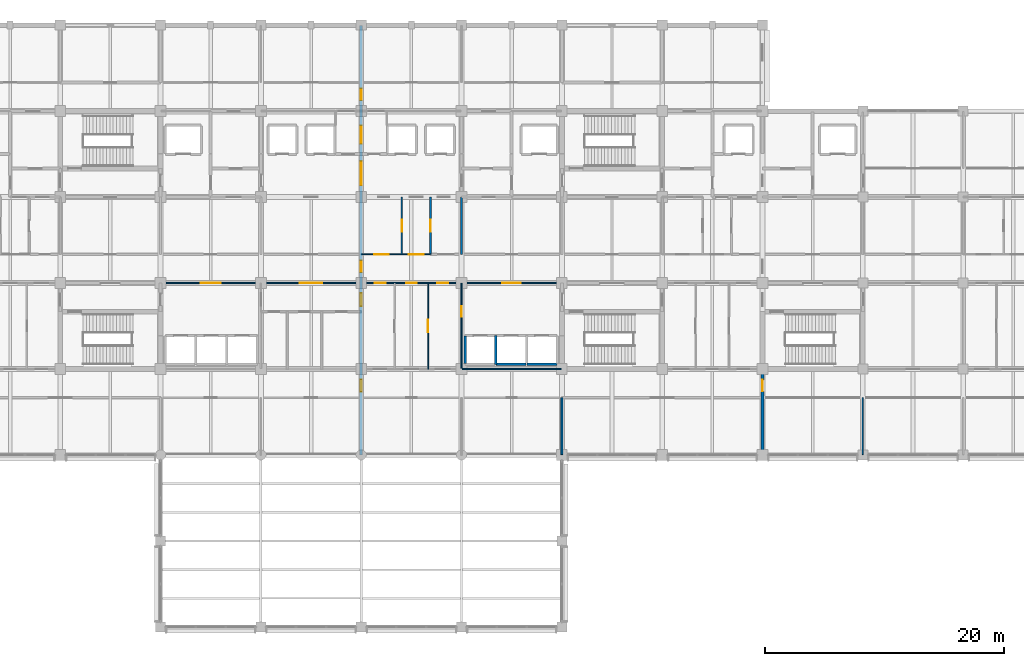
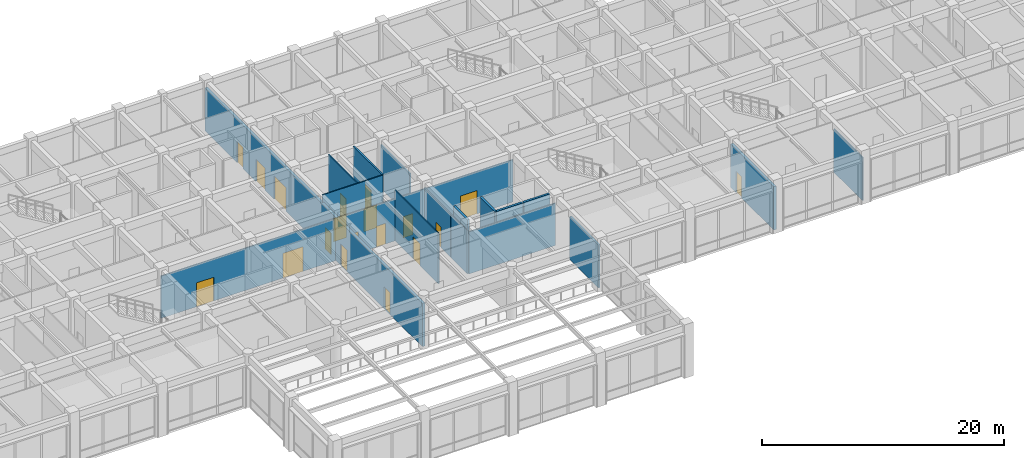
# One storey, part 37 of 58: 19 doors, 17 walls, 19 openings.
"""IFC4 building model written with IfcOpenShell, lengths in metres."""

from ifc_helpers import new_model, si_unit, direction, frame, frame_2d, origin, place, context, subcontext, project, spatial, rectangle, extrude, material, layer, layer_set, type_object, element, fill, save


model = new_model("IFC4")

# Units and contexts
model_context = context("Model", 3, precision=1e-05, world=origin(), true_north=direction((0.0, 1.0)))
body_context = subcontext(model_context, "Body", "Model", "MODEL_VIEW")
ifc_project = project(units=[si_unit("LENGTHUNIT", "METRE"), si_unit("AREAUNIT", "SQUARE_METRE"), si_unit("VOLUMEUNIT", "CUBIC_METRE"), si_unit("PLANEANGLEUNIT", "RADIAN"), si_unit("MASSUNIT", "GRAM", prefix="KILO")], contexts=[model_context])

# Site, building, storey
site_placement = place(None, origin())
site = spatial("IfcSite", under=ifc_project, at=site_placement, CompositionType="ELEMENT")
building_placement = place(site_placement, origin())
building = spatial("IfcBuilding", under=site, at=building_placement, Name="Chengyuan Square Courthouse", CompositionType="ELEMENT")
storey_placement = place(building_placement, frame((0.0, 0.0, 16.199951171875)))
storey = spatial("IfcBuildingStorey", under=building, at=storey_placement, Name="L04", CompositionType="ELEMENT", Elevation=16.199951171875)

# Wall, openings, doors
ifc_material_1 = material(Name="Concrete C40", Category="concrete")
ifc_layer_1 = layer(ifc_material_1, 0.25)
ifc_layer_set_1 = layer_set([ifc_layer_1], Name="Concrete C40")
wall_type_1 = type_object("IfcWallType", Name="WL-FW1", PredefinedType="STANDARD", material=ifc_layer_set_1)
wall_1_placement = place(storey_placement, frame((84.0, 79.199951171875, 0.0), z_axis=(0.0, 0.0, 1.0), x_axis=(0.0, 1.0, 0.0)))
wall_1 = element("IfcWall", 1, at=wall_1_placement, inside=storey, type_object=wall_type_1, Name="Interior Wall WL-L04-I2005", PredefinedType="STANDARD", context=body_context, shape_type="SweptSolid", body=[
    extrude(rectangle(XDim=35.9599609375, YDim=0.25, at=frame_2d((17.97998046875, 0.0))), origin(), (0.0, 0.0, 1.0), 4.3701171875),
])
opening_1_placement = place(wall_1_placement, frame((22.5849609375, 0.0, 0.0)))
opening_1 = element("IfcOpeningElement", 2, at=opening_1_placement, cuts=wall_1, Name="Opening DR-1687", PredefinedType="OPENING", context=body_context, shape_type="SweptSolid", body=[
    extrude(rectangle(XDim=2.0, YDim=2.39990234375, at=frame_2d((1.0, 1.199951171875))), frame((0.0, 0.136962890625, 0.0), z_axis=(0.0, -1.0, 0.0), x_axis=(1.0, 0.0, 0.0)), (0.0, 0.0, 1.0), 0.27392578125),
])
opening_2_placement = place(wall_1_placement, frame((12.465087890625, 0.0, 0.0)))
opening_2 = element("IfcOpeningElement", 3, at=opening_2_placement, cuts=wall_1, Name="Opening DR-1742", PredefinedType="OPENING", context=body_context, shape_type="SweptSolid", body=[
    extrude(rectangle(XDim=1.10009765625, YDim=2.199951171875, at=frame_2d((0.550048828125, 1.10009765625))), frame((0.0, 0.136962890625, 0.0), z_axis=(0.0, -1.0, 0.0), x_axis=(1.0, 0.0, 0.0)), (0.0, 0.0, 1.0), 0.27392578125),
])
opening_3_placement = place(wall_1_placement, frame((15.31005859375, 0.0, 0.0)))
opening_3 = element("IfcOpeningElement", 4, at=opening_3_placement, cuts=wall_1, Name="Opening DR-1762", PredefinedType="OPENING", context=body_context, shape_type="SweptSolid", body=[
    extrude(rectangle(XDim=0.949951171875, YDim=2.14990234375, at=frame_2d((0.47509765625, 1.074951171875))), frame((0.0, 0.136962890625, 0.0), z_axis=(0.0, -1.0, 0.0), x_axis=(1.0, 0.0, 0.0)), (0.0, 0.0, 1.0), 0.27392578125),
])
opening_4_placement = place(wall_1_placement, frame((26.06494140625, 0.0, 0.0)))
opening_4 = element("IfcOpeningElement", 5, at=opening_4_placement, cuts=wall_1, Name="Opening DR-1858", PredefinedType="OPENING", context=body_context, shape_type="SweptSolid", body=[
    extrude(rectangle(XDim=1.5, YDim=2.25, at=frame_2d((0.75, 1.125))), frame((0.0, 0.136962890625, 0.0), z_axis=(0.0, -1.0, 0.0), x_axis=(1.0, 0.0, 0.0)), (0.0, 0.0, 1.0), 0.27392578125),
])
opening_5_placement = place(wall_1_placement, frame((29.7099609375, 0.0, 0.0)))
opening_5 = element("IfcOpeningElement", 6, at=opening_5_placement, cuts=wall_1, Name="Opening DR-1861", PredefinedType="OPENING", context=body_context, shape_type="SweptSolid", body=[
    extrude(rectangle(XDim=0.949951171875, YDim=2.14990234375, at=frame_2d((0.47509765625, 1.074951171875))), frame((0.0, 0.136962890625, 0.0), z_axis=(0.0, -1.0, 0.0), x_axis=(1.0, 0.0, 0.0)), (0.0, 0.0, 1.0), 0.27392578125),
])
opening_6_placement = place(wall_1_placement, frame((5.31494140625, 0.0, 0.0)))
opening_6 = element("IfcOpeningElement", 7, at=opening_6_placement, cuts=wall_1, Name="Opening DR-1878", PredefinedType="OPENING", context=body_context, shape_type="SweptSolid", body=[
    extrude(rectangle(XDim=1.0, YDim=2.199951171875, at=frame_2d((0.5, 1.10009765625))), frame((0.0, 0.136962890625, 0.0), z_axis=(0.0, -1.0, 0.0), x_axis=(1.0, 0.0, 0.0)), (0.0, 0.0, 1.0), 0.27392578125),
])
ifc_material_2 = material(Name="Steel Q235B Fire Door", Category="steel")
door_type_1 = type_object("IfcDoorType", Name="DT-10", OperationType="NOTDEFINED", PredefinedType="DOOR", material=ifc_material_2)
door_1_placement = place(opening_2_placement, origin())
door_1 = element("IfcDoor", 8, at=door_1_placement, inside=storey, type_object=door_type_1, Name="Interior Door DR-1742", OperationType="SINGLE_SWING_RIGHT", OverallHeight=2.199951171875, OverallWidth=1.10009765625, PredefinedType="DOOR", context=body_context, shape_type="SweptSolid", body=[
    extrude(rectangle(XDim=1.10009765625, YDim=2.199951171875, at=frame_2d((0.550048828125, 1.10009765625))), frame((0.0, 0.02490234375, 0.0), z_axis=(0.0, -1.0, 0.0), x_axis=(1.0, 0.0, 0.0)), (0.0, 0.0, 1.0), 0.050048828125),
])
fill(opening_2, door_1)
door_type_2 = type_object("IfcDoorType", Name="DT-11", OperationType="NOTDEFINED", PredefinedType="DOOR", material=ifc_material_2)
door_2_placement = place(opening_6_placement, origin())
door_2 = element("IfcDoor", 9, at=door_2_placement, inside=storey, type_object=door_type_2, Name="Interior Door DR-1878", OperationType="SINGLE_SWING_LEFT", OverallHeight=2.199951171875, OverallWidth=1.0, PredefinedType="DOOR", context=body_context, shape_type="SweptSolid", body=[
    extrude(rectangle(XDim=1.0, YDim=2.199951171875, at=frame_2d((0.5, 1.10009765625))), frame((0.0, 0.02490234375, 0.0), z_axis=(0.0, -1.0, 0.0), x_axis=(1.0, 0.0, 0.0)), (0.0, 0.0, 1.0), 0.050048828125),
])
fill(opening_6, door_2)
door_type_3 = type_object("IfcDoorType", Name="DT-12", OperationType="NOTDEFINED", PredefinedType="DOOR", material=ifc_material_2)
door_3_placement = place(opening_3_placement, origin())
door_3 = element("IfcDoor", 10, at=door_3_placement, inside=storey, type_object=door_type_3, Name="Interior Door DR-1762", OperationType="SINGLE_SWING_RIGHT", OverallHeight=2.14990234375, OverallWidth=0.949951171875, PredefinedType="DOOR", context=body_context, shape_type="SweptSolid", body=[
    extrude(rectangle(XDim=0.949951171875, YDim=2.14990234375, at=frame_2d((0.47509765625, 1.074951171875))), frame((0.0, 0.02490234375, 0.0), z_axis=(0.0, -1.0, 0.0), x_axis=(1.0, 0.0, 0.0)), (0.0, 0.0, 1.0), 0.050048828125),
])
fill(opening_3, door_3)
door_4_placement = place(opening_5_placement, origin())
door_4 = element("IfcDoor", 11, at=door_4_placement, inside=storey, type_object=door_type_3, Name="Interior Door DR-1861", OperationType="SINGLE_SWING_RIGHT", OverallHeight=2.14990234375, OverallWidth=0.949951171875, PredefinedType="DOOR", context=body_context, shape_type="SweptSolid", body=[
    extrude(rectangle(XDim=0.949951171875, YDim=2.14990234375, at=frame_2d((0.47509765625, 1.074951171875))), frame((0.0, 0.02490234375, 0.0), z_axis=(0.0, -1.0, 0.0), x_axis=(1.0, 0.0, 0.0)), (0.0, 0.0, 1.0), 0.050048828125),
])
fill(opening_5, door_4)
ifc_material_3 = material(Name="Steel Q235B Glazed Fire Door", Category="steel")
door_type_4 = type_object("IfcDoorType", Name="DT-19", OperationType="DOUBLE_DOOR_SINGLE_SWING", PredefinedType="DOOR", material=ifc_material_3)
door_5_placement = place(opening_4_placement, frame((1.5, 0.0, 0.0), z_axis=(0.0, 0.0, 1.0), x_axis=(-1.0, 0.0, 0.0)))
door_5 = element("IfcDoor", 12, at=door_5_placement, inside=storey, type_object=door_type_4, Name="Interior Door DR-1858", OperationType="DOUBLE_DOOR_SINGLE_SWING", OverallHeight=2.25, OverallWidth=1.5, PredefinedType="DOOR", context=body_context, shape_type="SweptSolid", body=[
    extrude(rectangle(XDim=1.5, YDim=2.25, at=frame_2d((0.75, 1.125))), frame((0.0, 0.02490234375, 0.0), z_axis=(0.0, -1.0, 0.0), x_axis=(1.0, 0.0, 0.0)), (0.0, 0.0, 1.0), 0.050048828125),
])
fill(opening_4, door_5)
door_type_5 = type_object("IfcDoorType", Name="DT-20", OperationType="DOUBLE_DOOR_SINGLE_SWING", PredefinedType="DOOR", material=ifc_material_3)
door_6_placement = place(opening_1_placement, frame((2.0, 0.0, 0.0), z_axis=(0.0, 0.0, 1.0), x_axis=(-1.0, 0.0, 0.0)))
door_6 = element("IfcDoor", 13, at=door_6_placement, inside=storey, type_object=door_type_5, Name="Interior Door DR-1687", OperationType="DOUBLE_DOOR_SINGLE_SWING", OverallHeight=2.39990234375, OverallWidth=2.0, PredefinedType="DOOR", context=body_context, shape_type="SweptSolid", body=[
    extrude(rectangle(XDim=2.0, YDim=2.39990234375, at=frame_2d((1.0, 1.199951171875))), frame((0.0, 0.02490234375, 0.0), z_axis=(0.0, -1.0, 0.0), x_axis=(1.0, 0.0, 0.0)), (0.0, 0.0, 1.0), 0.050048828125),
])
fill(opening_1, door_6)

# Wall, opening, door
wall_2_placement = place(storey_placement, frame((117.60009765625, 79.239990234375, 0.0), z_axis=(0.0, 0.0, 1.0), x_axis=(0.0, 1.0, 0.0)))
wall_2 = element("IfcWall", 14, at=wall_2_placement, inside=storey, type_object=wall_type_1, Name="Interior Wall WL-L04-I2053", PredefinedType="STANDARD", context=body_context, shape_type="SweptSolid", body=[
    extrude(rectangle(XDim=7.159912109375, YDim=0.25, at=frame_2d((3.580078125, 0.0))), origin(), (0.0, 0.0, 1.0), 4.3701171875),
])
opening_7_placement = place(wall_2_placement, frame((5.300048828125, 0.0, 0.0)))
opening_7 = element("IfcOpeningElement", 15, at=opening_7_placement, cuts=wall_2, Name="Opening DR-1882", PredefinedType="OPENING", context=body_context, shape_type="SweptSolid", body=[
    extrude(rectangle(XDim=0.949951171875, YDim=2.14990234375, at=frame_2d((0.47509765625, 1.074951171875))), frame((0.0, 0.136962890625, 0.0), z_axis=(0.0, -1.0, 0.0), x_axis=(1.0, 0.0, 0.0)), (0.0, 0.0, 1.0), 0.27392578125),
])
door_7_placement = place(opening_7_placement, origin())
door_7 = element("IfcDoor", 16, at=door_7_placement, inside=storey, type_object=door_type_3, Name="Interior Door DR-1882", OperationType="SINGLE_SWING_RIGHT", OverallHeight=2.14990234375, OverallWidth=0.949951171875, PredefinedType="DOOR", context=body_context, shape_type="SweptSolid", body=[
    extrude(rectangle(XDim=0.949951171875, YDim=2.14990234375, at=frame_2d((0.47509765625, 1.074951171875))), frame((0.0, 0.02490234375, 0.0), z_axis=(0.0, -1.0, 0.0), x_axis=(1.0, 0.0, 0.0)), (0.0, 0.0, 1.0), 0.050048828125),
])
fill(opening_7, door_7)

# Wall
ifc_material_4 = material(Name="Acoustic Timber-Lined Gypsum Partition", Category="wood")
ifc_layer_2 = layer(ifc_material_4, 0.159912109375)
ifc_layer_set_2 = layer_set([ifc_layer_2], Name="Acoustic Timber-Lined Gypsum Partition")
wall_type_2 = type_object("IfcWallType", Name="WL-PT2", PredefinedType="STANDARD", material=ifc_layer_set_2)
wall_3_placement = place(storey_placement, frame((100.800048828125, 79.239990234375, 0.0), z_axis=(0.0, 0.0, 1.0), x_axis=(0.0, 1.0, 0.0)))
element("IfcWall", 17, at=wall_3_placement, inside=storey, type_object=wall_type_2, Name="Interior Wall WL-L04-I2030", PredefinedType="STANDARD", context=body_context, shape_type="SweptSolid", body=[
    extrude(rectangle(XDim=4.760009765625, YDim=0.159912109375, at=frame_2d((2.3798828125, 0.0))), origin(), (0.0, 0.0, 1.0), 4.3701171875),
])

# Wall, opening, door
ifc_material_5 = material(Name="Deliberation Room Sound-Insulated Partition")
ifc_layer_3 = layer(ifc_material_5, 0.14990234375)
ifc_layer_set_3 = layer_set([ifc_layer_3], Name="Deliberation Room Sound-Insulated Partition")
wall_type_3 = type_object("IfcWallType", Name="WL-PT3", PredefinedType="STANDARD", material=ifc_layer_set_3)
wall_4_placement = place(storey_placement, frame((89.800048828125, 96.0, 0.0), z_axis=(0.0, 0.0, 1.0), x_axis=(0.0, 1.0, 0.0)))
wall_4 = element("IfcWall", 18, at=wall_4_placement, inside=storey, type_object=wall_type_3, Name="Interior Wall WL-L04-I2013", PredefinedType="STANDARD", context=body_context, shape_type="SweptSolid", body=[
    extrude(rectangle(XDim=4.800048828125, YDim=0.14990234375, at=frame_2d((2.39990234375, 0.0))), origin(), (0.0, 0.0, 1.0), 5.1201171875),
])
opening_8_placement = place(wall_4_placement, frame((1.889892578125, 0.0, 0.0)))
opening_8 = element("IfcOpeningElement", 19, at=opening_8_placement, cuts=wall_4, Name="Opening DR-1812", PredefinedType="OPENING", context=body_context, shape_type="SweptSolid", body=[
    extrude(rectangle(XDim=1.02001953125, YDim=2.39990234375, at=frame_2d((0.510009765625, 1.199951171875))), frame((0.0, 0.0869140625, 0.0), z_axis=(0.0, -1.0, 0.0), x_axis=(1.0, 0.0, 0.0)), (0.0, 0.0, 1.0), 0.173828125),
])
ifc_material_6 = material(Name="Acoustic Solid-Core Timber Door", Category="wood")
door_type_6 = type_object("IfcDoorType", Name="DT-41", OperationType="NOTDEFINED", PredefinedType="DOOR", material=ifc_material_6)
door_8_placement = place(opening_8_placement, origin())
door_8 = element("IfcDoor", 20, at=door_8_placement, inside=storey, type_object=door_type_6, Name="Interior Door DR-1812", OperationType="SINGLE_SWING_LEFT", OverallHeight=2.39990234375, OverallWidth=1.02001953125, PredefinedType="DOOR", context=body_context, shape_type="SweptSolid", body=[
    extrude(rectangle(XDim=1.02001953125, YDim=2.39990234375, at=frame_2d((0.510009765625, 1.199951171875))), frame((0.0, 0.02490234375, 0.0), z_axis=(0.0, -1.0, 0.0), x_axis=(1.0, 0.0, 0.0)), (0.0, 0.0, 1.0), 0.050048828125),
])
fill(opening_8, door_8)

# Walls
wall_5_placement = place(storey_placement, frame((92.39990234375, 96.0, 0.0), z_axis=(0.0, 0.0, 1.0), x_axis=(0.0, 1.0, 0.0)))
element("IfcWall", 21, at=wall_5_placement, inside=storey, type_object=wall_type_3, Name="Interior Wall WL-L04-I2018", PredefinedType="STANDARD", context=body_context, shape_type="SweptSolid", body=[
    extrude(rectangle(XDim=4.800048828125, YDim=0.14990234375, at=frame_2d((2.39990234375, 0.0))), origin(), (0.0, 0.0, 1.0), 4.3701171875),
])
ifc_material_7 = material(Name="Gypsum Plasterboard Acoustic Stud Partition")
ifc_layer_4 = layer(ifc_material_7, 0.10009765625)
ifc_layer_set_4 = layer_set([ifc_layer_4], Name="Gypsum Plasterboard Acoustic Stud Partition")
wall_type_4 = type_object("IfcWallType", Name="WL-PT6", PredefinedType="STANDARD", material=ifc_layer_set_4)
wall_6_placement = place(storey_placement, frame((92.449951171875, 86.39990234375, 0.0), z_axis=(0.0, 0.0, 1.0), x_axis=(1.0, 0.0, 0.0)))
element("IfcWall", 22, at=wall_6_placement, inside=storey, type_object=wall_type_4, Name="Interior Wall WL-L04-I1787", PredefinedType="STANDARD", context=body_context, shape_type="SweptSolid", body=[
    extrude(rectangle(XDim=8.300048828125, YDim=0.10009765625, at=frame_2d((4.14990234375, 0.0))), origin(), (0.0, 0.0, 1.0), 4.27001953125),
])

# Wall, openings, doors
wall_7_placement = place(storey_placement, frame((67.199951171875, 93.60009765625, 0.0), z_axis=(0.0, 0.0, 1.0), x_axis=(1.0, 0.0, 0.0)))
wall_7 = element("IfcWall", 23, at=wall_7_placement, inside=storey, type_object=wall_type_4, Name="Interior Wall WL-L04-I1815", PredefinedType="STANDARD", context=body_context, shape_type="SweptSolid", body=[
    extrude(rectangle(XDim=33.60009765625, YDim=0.10009765625, at=frame_2d((16.800048828125, 0.0))), origin(), (0.0, 0.0, 1.0), 4.27001953125),
])
opening_9_placement = place(wall_7_placement, frame((3.375, 0.0, 0.0)))
opening_9 = element("IfcOpeningElement", 24, at=opening_9_placement, cuts=wall_7, Name="Opening DR-1695", PredefinedType="OPENING", context=body_context, shape_type="SweptSolid", body=[
    extrude(rectangle(XDim=1.64990234375, YDim=2.39990234375, at=frame_2d((0.824951171875, 1.199951171875))), frame((0.0, 0.06201171875, 0.0), z_axis=(0.0, -1.0, 0.0), x_axis=(1.0, 0.0, 0.0)), (0.0, 0.0, 1.0), 0.1240234375),
])
opening_10_placement = place(wall_7_placement, frame((28.625, 0.0, 0.0)))
opening_10 = element("IfcOpeningElement", 25, at=opening_10_placement, cuts=wall_7, Name="Opening DR-1696", PredefinedType="OPENING", context=body_context, shape_type="SweptSolid", body=[
    extrude(rectangle(XDim=1.550048828125, YDim=2.35009765625, at=frame_2d((0.77490234375, 1.175048828125))), frame((0.0, 0.06201171875, 0.0), z_axis=(0.0, -1.0, 0.0), x_axis=(1.0, 0.0, 0.0)), (0.0, 0.0, 1.0), 0.1240234375),
])
opening_11_placement = place(wall_7_placement, frame((11.64990234375, 0.0, 0.0)))
opening_11 = element("IfcOpeningElement", 26, at=opening_11_placement, cuts=wall_7, Name="Opening DR-1741", PredefinedType="OPENING", context=body_context, shape_type="SweptSolid", body=[
    extrude(rectangle(XDim=1.89990234375, YDim=2.5, at=frame_2d((0.949951171875, 1.25))), frame((0.0, 0.06201171875, 0.0), z_axis=(0.0, -1.0, 0.0), x_axis=(1.0, 0.0, 0.0)), (0.0, 0.0, 1.0), 0.1240234375),
])
opening_12_placement = place(wall_7_placement, frame((17.93505859375, 0.0, 0.0)))
opening_12 = element("IfcOpeningElement", 27, at=opening_12_placement, cuts=wall_7, Name="Opening DR-1781", PredefinedType="OPENING", context=body_context, shape_type="SweptSolid", body=[
    extrude(rectangle(XDim=0.89990234375, YDim=2.14990234375, at=frame_2d((0.449951171875, 1.074951171875))), frame((0.0, 0.06201171875, 0.0), z_axis=(0.0, -1.0, 0.0), x_axis=(1.0, 0.0, 0.0)), (0.0, 0.0, 1.0), 0.1240234375),
])
opening_13_placement = place(wall_7_placement, frame((20.570068359375, 0.0, 0.0)))
opening_13 = element("IfcOpeningElement", 28, at=opening_13_placement, cuts=wall_7, Name="Opening DR-1782", PredefinedType="OPENING", context=body_context, shape_type="SweptSolid", body=[
    extrude(rectangle(XDim=0.860107421875, YDim=2.10009765625, at=frame_2d((0.43017578125, 1.050048828125))), frame((0.0, 0.06201171875, 0.0), z_axis=(0.0, -1.0, 0.0), x_axis=(1.0, 0.0, 0.0)), (0.0, 0.0, 1.0), 0.1240234375),
])
opening_14_placement = place(wall_7_placement, frame((23.155029296875, 0.0, 0.0)))
opening_14 = element("IfcOpeningElement", 29, at=opening_14_placement, cuts=wall_7, Name="Opening DR-1783", PredefinedType="OPENING", context=body_context, shape_type="SweptSolid", body=[
    extrude(rectangle(XDim=0.919921875, YDim=2.14990234375, at=frame_2d((0.4599609375, 1.074951171875))), frame((0.0, 0.06201171875, 0.0), z_axis=(0.0, -1.0, 0.0), x_axis=(1.0, 0.0, 0.0)), (0.0, 0.0, 1.0), 0.1240234375),
])
ifc_material_8 = material(Name="Acoustic Larch Veneer Double Door")
door_type_7 = type_object("IfcDoorType", Name="DT-22", OperationType="DOUBLE_DOOR_SINGLE_SWING", PredefinedType="DOOR", material=ifc_material_8)
door_9_placement = place(opening_9_placement, frame((1.64990234375, 0.0, 0.0), z_axis=(0.0, 0.0, 1.0), x_axis=(-1.0, 0.0, 0.0)))
door_9 = element("IfcDoor", 30, at=door_9_placement, inside=storey, type_object=door_type_7, Name="Interior Door DR-1695", OperationType="DOUBLE_DOOR_SINGLE_SWING", OverallHeight=2.39990234375, OverallWidth=1.64990234375, PredefinedType="DOOR", context=body_context, shape_type="SweptSolid", body=[
    extrude(rectangle(XDim=1.64990234375, YDim=2.39990234375, at=frame_2d((0.824951171875, 1.199951171875))), frame((0.0, 0.02490234375, 0.0), z_axis=(0.0, -1.0, 0.0), x_axis=(1.0, 0.0, 0.0)), (0.0, 0.0, 1.0), 0.050048828125),
])
fill(opening_9, door_9)
door_type_8 = type_object("IfcDoorType", Name="DT-23", OperationType="DOUBLE_DOOR_SINGLE_SWING", PredefinedType="DOOR", material=ifc_material_8)
door_10_placement = place(opening_10_placement, frame((1.550048828125, 0.0, 0.0), z_axis=(0.0, 0.0, 1.0), x_axis=(-1.0, 0.0, 0.0)))
door_10 = element("IfcDoor", 31, at=door_10_placement, inside=storey, type_object=door_type_8, Name="Interior Door DR-1696", OperationType="DOUBLE_DOOR_SINGLE_SWING", OverallHeight=2.35009765625, OverallWidth=1.550048828125, PredefinedType="DOOR", context=body_context, shape_type="SweptSolid", body=[
    extrude(rectangle(XDim=1.550048828125, YDim=2.35009765625, at=frame_2d((0.77490234375, 1.175048828125))), frame((0.0, 0.02490234375, 0.0), z_axis=(0.0, -1.0, 0.0), x_axis=(1.0, 0.0, 0.0)), (0.0, 0.0, 1.0), 0.050048828125),
])
fill(opening_10, door_10)
door_type_9 = type_object("IfcDoorType", Name="DT-26", OperationType="DOUBLE_DOOR_SINGLE_SWING", PredefinedType="DOOR", material=ifc_material_8)
door_11_placement = place(opening_11_placement, frame((1.89990234375, 0.0, 0.0), z_axis=(0.0, 0.0, 1.0), x_axis=(-1.0, 0.0, 0.0)))
door_11 = element("IfcDoor", 32, at=door_11_placement, inside=storey, type_object=door_type_9, Name="Interior Door DR-1741", OperationType="DOUBLE_DOOR_SINGLE_SWING", OverallHeight=2.5, OverallWidth=1.89990234375, PredefinedType="DOOR", context=body_context, shape_type="SweptSolid", body=[
    extrude(rectangle(XDim=1.89990234375, YDim=2.5, at=frame_2d((0.949951171875, 1.25))), frame((0.0, 0.02490234375, 0.0), z_axis=(0.0, -1.0, 0.0), x_axis=(1.0, 0.0, 0.0)), (0.0, 0.0, 1.0), 0.050048828125),
])
fill(opening_11, door_11)
door_type_10 = type_object("IfcDoorType", Name="DT-27", OperationType="NOTDEFINED", PredefinedType="DOOR", material=ifc_material_6)
door_12_placement = place(opening_12_placement, origin())
door_12 = element("IfcDoor", 33, at=door_12_placement, inside=storey, type_object=door_type_10, Name="Interior Door DR-1781", OperationType="SINGLE_SWING_LEFT", OverallHeight=2.14990234375, OverallWidth=0.89990234375, PredefinedType="DOOR", context=body_context, shape_type="SweptSolid", body=[
    extrude(rectangle(XDim=0.89990234375, YDim=2.14990234375, at=frame_2d((0.449951171875, 1.074951171875))), frame((0.0, 0.02490234375, 0.0), z_axis=(0.0, -1.0, 0.0), x_axis=(1.0, 0.0, 0.0)), (0.0, 0.0, 1.0), 0.050048828125),
])
fill(opening_12, door_12)
door_type_11 = type_object("IfcDoorType", Name="DT-28", OperationType="NOTDEFINED", PredefinedType="DOOR", material=ifc_material_6)
door_13_placement = place(opening_13_placement, origin())
door_13 = element("IfcDoor", 34, at=door_13_placement, inside=storey, type_object=door_type_11, Name="Interior Door DR-1782", OperationType="SINGLE_SWING_RIGHT", OverallHeight=2.10009765625, OverallWidth=0.860107421875, PredefinedType="DOOR", context=body_context, shape_type="SweptSolid", body=[
    extrude(rectangle(XDim=0.860107421875, YDim=2.10009765625, at=frame_2d((0.43017578125, 1.050048828125))), frame((0.0, 0.02490234375, 0.0), z_axis=(0.0, -1.0, 0.0), x_axis=(1.0, 0.0, 0.0)), (0.0, 0.0, 1.0), 0.050048828125),
])
fill(opening_13, door_13)
door_type_12 = type_object("IfcDoorType", Name="DT-29", OperationType="NOTDEFINED", PredefinedType="DOOR", material=ifc_material_6)
door_14_placement = place(opening_14_placement, origin())
door_14 = element("IfcDoor", 35, at=door_14_placement, inside=storey, type_object=door_type_12, Name="Interior Door DR-1783", OperationType="SINGLE_SWING_LEFT", OverallHeight=2.14990234375, OverallWidth=0.919921875, PredefinedType="DOOR", context=body_context, shape_type="SweptSolid", body=[
    extrude(rectangle(XDim=0.919921875, YDim=2.14990234375, at=frame_2d((0.4599609375, 1.074951171875))), frame((0.0, 0.02490234375, 0.0), z_axis=(0.0, -1.0, 0.0), x_axis=(1.0, 0.0, 0.0)), (0.0, 0.0, 1.0), 0.050048828125),
])
fill(opening_14, door_14)

wall_8_placement = place(storey_placement, frame((84.0, 96.0, 0.0), z_axis=(0.0, 0.0, 1.0), x_axis=(1.0, 0.0, 0.0)))
wall_8 = element("IfcWall", 36, at=wall_8_placement, inside=storey, type_object=wall_type_4, Name="Interior Wall WL-L04-I1828", PredefinedType="STANDARD", context=body_context, shape_type="SweptSolid", body=[
    extrude(rectangle(XDim=5.800048828125, YDim=0.10009765625, at=frame_2d((2.89990234375, 0.0))), origin(), (0.0, 0.0, 1.0), 5.1201171875),
])
opening_15_placement = place(wall_8_placement, frame((1.10009765625, 0.0, 0.0)))
opening_15 = element("IfcOpeningElement", 37, at=opening_15_placement, cuts=wall_8, Name="Opening DR-1773", PredefinedType="OPENING", context=body_context, shape_type="SweptSolid", body=[
    extrude(rectangle(XDim=1.199951171875, YDim=2.35009765625, at=frame_2d((0.60009765625, 1.175048828125))), frame((0.0, 0.06201171875, 0.0), z_axis=(0.0, -1.0, 0.0), x_axis=(1.0, 0.0, 0.0)), (0.0, 0.0, 1.0), 0.1240234375),
])
opening_16_placement = place(wall_8_placement, frame((3.97998046875, 0.0, 0.0)))
opening_16 = element("IfcOpeningElement", 38, at=opening_16_placement, cuts=wall_8, Name="Opening DR-1774", PredefinedType="OPENING", context=body_context, shape_type="SweptSolid", body=[
    extrude(rectangle(XDim=1.239990234375, YDim=2.300048828125, at=frame_2d((0.6201171875, 1.14990234375))), frame((0.0, 0.06201171875, 0.0), z_axis=(0.0, -1.0, 0.0), x_axis=(1.0, 0.0, 0.0)), (0.0, 0.0, 1.0), 0.1240234375),
])
door_type_13 = type_object("IfcDoorType", Name="DT-36", OperationType="NOTDEFINED", PredefinedType="DOOR", material=ifc_material_6)
door_15_placement = place(opening_15_placement, origin())
door_15 = element("IfcDoor", 39, at=door_15_placement, inside=storey, type_object=door_type_13, Name="Interior Door DR-1773", OperationType="SINGLE_SWING_LEFT", OverallHeight=2.35009765625, OverallWidth=1.199951171875, PredefinedType="DOOR", context=body_context, shape_type="SweptSolid", body=[
    extrude(rectangle(XDim=1.199951171875, YDim=2.35009765625, at=frame_2d((0.60009765625, 1.175048828125))), frame((0.0, 0.02490234375, 0.0), z_axis=(0.0, -1.0, 0.0), x_axis=(1.0, 0.0, 0.0)), (0.0, 0.0, 1.0), 0.050048828125),
])
fill(opening_15, door_15)
door_type_14 = type_object("IfcDoorType", Name="DT-37", OperationType="NOTDEFINED", PredefinedType="DOOR", material=ifc_material_6)
door_16_placement = place(opening_16_placement, origin())
door_16 = element("IfcDoor", 40, at=door_16_placement, inside=storey, type_object=door_type_14, Name="Interior Door DR-1774", OperationType="SINGLE_SWING_RIGHT", OverallHeight=2.300048828125, OverallWidth=1.239990234375, PredefinedType="DOOR", context=body_context, shape_type="SweptSolid", body=[
    extrude(rectangle(XDim=1.239990234375, YDim=2.300048828125, at=frame_2d((0.6201171875, 1.14990234375))), frame((0.0, 0.02490234375, 0.0), z_axis=(0.0, -1.0, 0.0), x_axis=(1.0, 0.0, 0.0)), (0.0, 0.0, 1.0), 0.050048828125),
])
fill(opening_16, door_16)

# Wall, opening, door
wall_9_placement = place(storey_placement, frame((87.39990234375, 96.0, 0.0), z_axis=(0.0, 0.0, 1.0), x_axis=(0.0, 1.0, 0.0)))
wall_9 = element("IfcWall", 41, at=wall_9_placement, inside=storey, type_object=wall_type_4, Name="Interior Wall WL-L04-I2009", PredefinedType="STANDARD", context=body_context, shape_type="SweptSolid", body=[
    extrude(rectangle(XDim=4.800048828125, YDim=0.10009765625, at=frame_2d((2.39990234375, 0.0))), origin(), (0.0, 0.0, 1.0), 5.1201171875),
])
opening_17_placement = place(wall_9_placement, frame((1.909912109375, 0.0, 0.0)))
opening_17 = element("IfcOpeningElement", 42, at=opening_17_placement, cuts=wall_9, Name="Opening DR-1811", PredefinedType="OPENING", context=body_context, shape_type="SweptSolid", body=[
    extrude(rectangle(XDim=0.97998046875, YDim=2.35009765625, at=frame_2d((0.489990234375, 1.175048828125))), frame((0.0, 0.06201171875, 0.0), z_axis=(0.0, -1.0, 0.0), x_axis=(1.0, 0.0, 0.0)), (0.0, 0.0, 1.0), 0.1240234375),
])
door_type_15 = type_object("IfcDoorType", Name="DT-40", OperationType="NOTDEFINED", PredefinedType="DOOR", material=ifc_material_6)
door_17_placement = place(opening_17_placement, origin())
door_17 = element("IfcDoor", 43, at=door_17_placement, inside=storey, type_object=door_type_15, Name="Interior Door DR-1811", OperationType="SINGLE_SWING_RIGHT", OverallHeight=2.35009765625, OverallWidth=0.97998046875, PredefinedType="DOOR", context=body_context, shape_type="SweptSolid", body=[
    extrude(rectangle(XDim=0.97998046875, YDim=2.35009765625, at=frame_2d((0.489990234375, 1.175048828125))), frame((0.0, 0.02490234375, 0.0), z_axis=(0.0, -1.0, 0.0), x_axis=(1.0, 0.0, 0.0)), (0.0, 0.0, 1.0), 0.050048828125),
])
fill(opening_17, door_17)

wall_10_placement = place(storey_placement, frame((89.60009765625, 86.39990234375, 0.0), z_axis=(0.0, 0.0, 1.0), x_axis=(0.0, 1.0, 0.0)))
wall_10 = element("IfcWall", 44, at=wall_10_placement, inside=storey, type_object=wall_type_4, Name="Interior Wall WL-L04-I2012", PredefinedType="STANDARD", context=body_context, shape_type="SweptSolid", body=[
    extrude(rectangle(XDim=7.2001953125, YDim=0.10009765625, at=frame_2d((3.60009765625, 0.0))), origin(), (0.0, 0.0, 1.0), 5.1201171875),
])
opening_18_placement = place(wall_10_placement, frame((3.06005859375, 0.0, 0.0)))
opening_18 = element("IfcOpeningElement", 45, at=opening_18_placement, cuts=wall_10, Name="Opening DR-1838", PredefinedType="OPENING", context=body_context, shape_type="SweptSolid", body=[
    extrude(rectangle(XDim=1.080078125, YDim=2.25, at=frame_2d((0.5400390625, 1.125))), frame((0.0, 0.06201171875, 0.0), z_axis=(0.0, -1.0, 0.0), x_axis=(1.0, 0.0, 0.0)), (0.0, 0.0, 1.0), 0.1240234375),
])
door_type_16 = type_object("IfcDoorType", Name="DT-33", OperationType="NOTDEFINED", PredefinedType="DOOR", material=ifc_material_6)
door_18_placement = place(opening_18_placement, origin())
door_18 = element("IfcDoor", 46, at=door_18_placement, inside=storey, type_object=door_type_16, Name="Interior Door DR-1838", OperationType="SINGLE_SWING_LEFT", OverallHeight=2.25, OverallWidth=1.080078125, PredefinedType="DOOR", context=body_context, shape_type="SweptSolid", body=[
    extrude(rectangle(XDim=1.080078125, YDim=2.25, at=frame_2d((0.5400390625, 1.125))), frame((0.0, 0.02490234375, 0.0), z_axis=(0.0, -1.0, 0.0), x_axis=(1.0, 0.0, 0.0)), (0.0, 0.0, 1.0), 0.050048828125),
])
fill(opening_18, door_18)

# Wall
wall_11_placement = place(storey_placement, frame((92.39990234375, 86.449951171875, 0.0), z_axis=(0.0, 0.0, 1.0), x_axis=(0.0, 1.0, 0.0)))
element("IfcWall", 47, at=wall_11_placement, inside=storey, type_object=wall_type_4, Name="Interior Wall WL-L04-I2016", PredefinedType="STANDARD", context=body_context, shape_type="SweptSolid", body=[
    extrude(rectangle(XDim=2.699951171875, YDim=0.10009765625, at=frame_2d((1.35009765625, 0.0))), origin(), (0.0, 0.0, 1.0), 4.3701171875),
])

# Wall, opening, door
wall_12_placement = place(storey_placement, frame((92.39990234375, 89.199951171875, 0.0), z_axis=(0.0, 0.0, 1.0), x_axis=(0.0, 1.0, 0.0)))
wall_12 = element("IfcWall", 48, at=wall_12_placement, inside=storey, type_object=wall_type_4, Name="Interior Wall WL-L04-I2017", PredefinedType="STANDARD", context=body_context, shape_type="SweptSolid", body=[
    extrude(rectangle(XDim=4.400146484375, YDim=0.10009765625, at=frame_2d((2.2001953125, 0.0))), origin(), (0.0, 0.0, 1.0), 4.3701171875),
])
opening_19_placement = place(wall_12_placement, frame((1.5849609375, 0.0, 0.0)))
opening_19 = element("IfcOpeningElement", 49, at=opening_19_placement, cuts=wall_12, Name="Opening DR-1697", PredefinedType="OPENING", context=body_context, shape_type="SweptSolid", body=[
    extrude(rectangle(XDim=0.860107421875, YDim=2.10009765625, at=frame_2d((0.43017578125, 1.050048828125))), frame((0.0, 0.06201171875, 0.0), z_axis=(0.0, -1.0, 0.0), x_axis=(1.0, 0.0, 0.0)), (0.0, 0.0, 1.0), 0.1240234375),
])
door_19_placement = place(opening_19_placement, origin())
door_19 = element("IfcDoor", 50, at=door_19_placement, inside=storey, type_object=door_type_11, Name="Interior Door DR-1697", OperationType="SINGLE_SWING_RIGHT", OverallHeight=2.10009765625, OverallWidth=0.860107421875, PredefinedType="DOOR", context=body_context, shape_type="SweptSolid", body=[
    extrude(rectangle(XDim=0.860107421875, YDim=2.10009765625, at=frame_2d((0.43017578125, 1.050048828125))), frame((0.0, 0.02490234375, 0.0), z_axis=(0.0, -1.0, 0.0), x_axis=(1.0, 0.0, 0.0)), (0.0, 0.0, 1.0), 0.050048828125),
])
fill(opening_19, door_19)

# Walls
wall_13_placement = place(storey_placement, frame((126.0, 79.239990234375, 0.0), z_axis=(0.0, 0.0, 1.0), x_axis=(0.0, 1.0, 0.0)))
element("IfcWall", 51, at=wall_13_placement, inside=storey, type_object=wall_type_4, Name="Interior Wall WL-L04-I2061", PredefinedType="STANDARD", context=body_context, shape_type="SweptSolid", body=[
    extrude(rectangle(XDim=4.760009765625, YDim=0.10009765625, at=frame_2d((2.3798828125, 0.0))), origin(), (0.0, 0.0, 1.0), 4.3701171875),
])
ifc_material_9 = material(Name="Reinforced Masonry Shaft Enclosure", Category="masonry")
ifc_layer_5 = layer(ifc_material_9, 0.199951171875)
ifc_layer_set_5 = layer_set([ifc_layer_5], Name="Reinforced Masonry Shaft Enclosure")
wall_type_5 = type_object("IfcWallType", Name="WL-SH1", PredefinedType="STANDARD", material=ifc_layer_set_5)
for number, where, z_axis, x_axis, name in (
    (52, (95.300048828125, 86.800048828125, 0.0), (0.0, 0.0, 1.0), (1.0, 0.0, 0.0), "Interior Wall WL-L04-I1798"),
    (53, (97.89990234375, 86.800048828125, 0.0), (0.0, 0.0, 1.0), (1.0, 0.0, 0.0), "Interior Wall WL-L04-I1799"),
):
    element("IfcWall", number, at=place(storey_placement, frame(where, z_axis=z_axis, x_axis=x_axis)), inside=storey, type_object=wall_type_5, Name=name, PredefinedType="STANDARD", context=body_context, shape_type="SweptSolid", body=[
        extrude(rectangle(XDim=2.5, YDim=0.199951171875, at=frame_2d((1.25, 0.0))), origin(), (0.0, 0.0, 1.0), 5.1201171875),
    ])
wall_14_placement = place(storey_placement, frame((92.699951171875, 86.85009765625, 0.0), z_axis=(0.0, 0.0, 1.0), x_axis=(0.0, 1.0, 0.0)))
element("IfcWall", 54, at=wall_14_placement, inside=storey, type_object=wall_type_5, Name="Interior Wall WL-L04-I2022", PredefinedType="STANDARD", context=body_context, shape_type="SweptSolid", body=[
    extrude(rectangle(XDim=2.2998046875, YDim=0.199951171875, at=frame_2d((1.14990234375, 0.0))), origin(), (0.0, 0.0, 1.0), 5.1201171875),
])
wall_15_placement = place(storey_placement, frame((95.25, 86.800048828125, 0.0), z_axis=(0.0, 0.0, 1.0), x_axis=(0.0, 1.0, 0.0)))
element("IfcWall", 55, at=wall_15_placement, inside=storey, type_object=wall_type_5, Name="Interior Wall WL-L04-I2023", PredefinedType="STANDARD", context=body_context, shape_type="SweptSolid", body=[
    extrude(rectangle(XDim=2.39990234375, YDim=0.199951171875, at=frame_2d((1.199951171875, 0.0))), origin(), (0.0, 0.0, 1.0), 5.1201171875),
])

save(model, "model.ifc")
